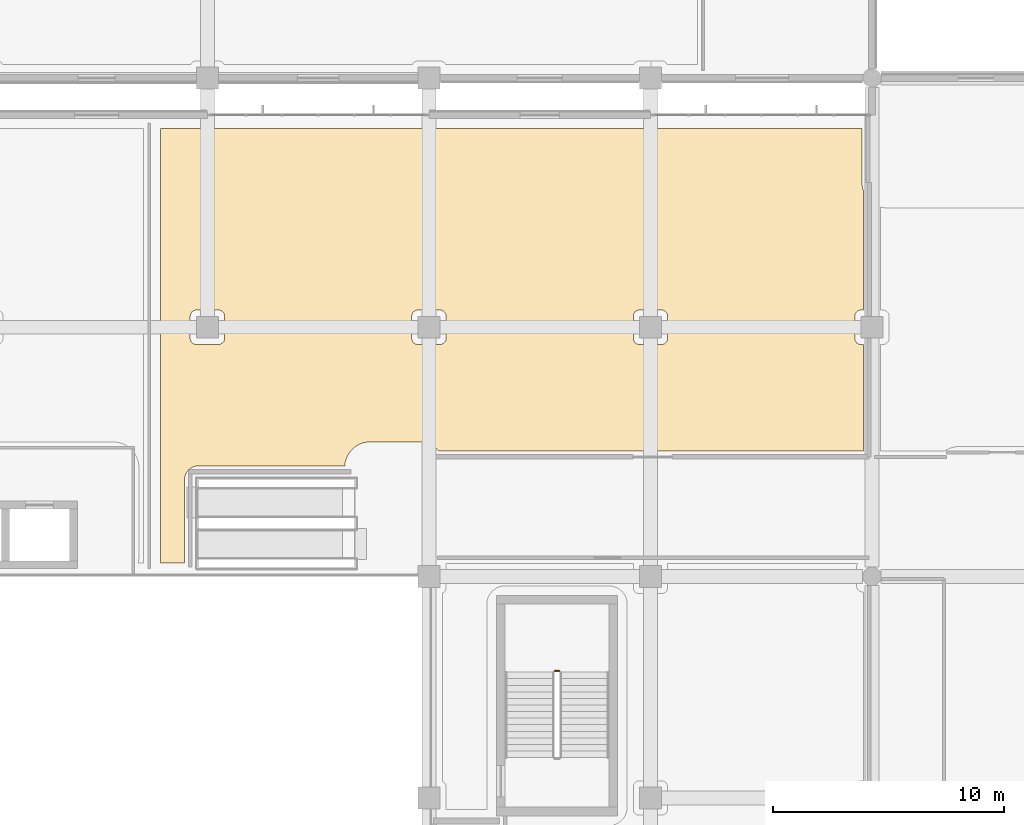
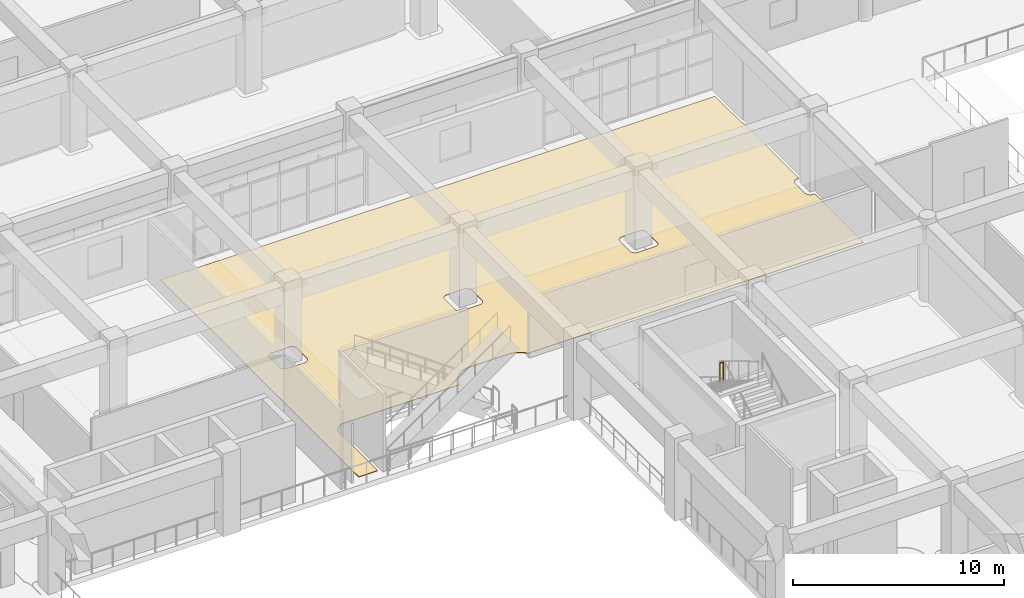
# One storey, part 71 of 86: 1 covering, 1 railing.
"""IFC4 building model written with IfcOpenShell, lengths in metres."""

from ifc_helpers import new_model, si_unit, direction, frame, origin, origin_2d, place, context, subcontext, project, spatial, polyline, circle, outline, extrude, material, layer, layer_set, type_object, element, save


model = new_model("IFC4")

# Units and contexts
model_context = context("Model", 3, precision=1e-05, world=origin(), true_north=direction((0.0, 1.0)))
body_context = subcontext(model_context, "Body", "Model", "MODEL_VIEW")
ifc_project = project(units=[si_unit("LENGTHUNIT", "METRE"), si_unit("AREAUNIT", "SQUARE_METRE"), si_unit("VOLUMEUNIT", "CUBIC_METRE"), si_unit("PLANEANGLEUNIT", "RADIAN"), si_unit("MASSUNIT", "GRAM", prefix="KILO")], contexts=[model_context])

# Site, building, storey
site_placement = place(None, origin())
site = spatial("IfcSite", under=ifc_project, at=site_placement, CompositionType="ELEMENT")
building_placement = place(site_placement, origin())
building = spatial("IfcBuilding", under=site, at=building_placement, Name="Cendralis Terraced Arcade", CompositionType="ELEMENT")
storey_placement = place(building_placement, frame((0.0, 0.0, 5.39990234375)))
storey = spatial("IfcBuildingStorey", under=building, at=storey_placement, Name="L01", CompositionType="ELEMENT", Elevation=5.39990234375)

# Covering
ifc_material_1 = material(Name="Polished Bogota limestone terrazzo flooring", Category="masonry")
ifc_layer = layer(ifc_material_1, 0.030029296875, Name="COV-FLR-TERZ-30")
ifc_layer_set = layer_set([ifc_layer], Name="Polished Bogota limestone terrazzo flooring")
covering_type = type_object("IfcCoveringType", Name="COV-FLR-TERZ-30", PredefinedType="FLOORING", material=ifc_layer_set)
covering_placement = place(storey_placement, origin())
element("IfcCovering", 1, at=covering_placement, inside=storey, type_object=covering_type, Name="Interior Finish Flooring L01-052", PredefinedType="FLOORING", context=body_context, shape_type="SweptSolid", body=[
    extrude(outline(polyline([(36.3701171875, 57.81005859375), (66.77001953125, 57.81005859375), (66.77001953125, 55.47998046875), (66.77001953125, 55.476806640625), (66.77001953125, 55.47412109375), (66.77001953125, 55.470947265625), (66.770263671875, 55.465087890625), (66.7705078125, 55.4619140625), (66.7705078125, 55.458984375), (66.7705078125, 55.4560546875), (66.773681640625, 55.395263671875), (66.77392578125, 55.38916015625), (66.7744140625, 55.38330078125), (66.77490234375, 55.377197265625), (66.776123046875, 55.365478515625), (66.776611328125, 55.359375), (66.777587890625, 55.353515625), (66.7783203125, 55.347412109375), (66.787109375, 55.287109375), (66.7880859375, 55.281005859375), (66.789306640625, 55.275390625), (66.790283203125, 55.269287109375), (66.79248046875, 55.2578125), (66.7939453125, 55.251708984375), (66.795166015625, 55.24609375), (66.796630859375, 55.239990234375), (66.811279296875, 55.180908203125), (66.81298828125, 55.175048828125), (66.814453125, 55.16943359375), (66.816162109375, 55.16357421875), (66.819580078125, 55.152099609375), (66.821533203125, 55.146240234375), (66.8232421875, 55.140625), (66.8251953125, 55.135009765625), (66.830078125, 55.121826171875), (66.830078125, 49.945068359375), (66.72509765625, 49.945068359375), (66.712646484375, 49.944580078125), (66.710693359375, 49.944580078125), (66.686279296875, 49.942138671875), (66.684326171875, 49.94189453125), (66.660400390625, 49.93701171875), (66.658447265625, 49.9365234375), (66.635009765625, 49.929443359375), (66.633056640625, 49.928955078125), (66.610595703125, 49.91943359375), (66.608642578125, 49.918701171875), (66.5869140625, 49.906982421875), (66.58544921875, 49.906005859375), (66.56494140625, 49.892333984375), (66.5634765625, 49.891357421875), (66.54443359375, 49.875732421875), (66.54296875, 49.87451171875), (66.525634765625, 49.85693359375), (66.5244140625, 49.855712890625), (66.5087890625, 49.836669921875), (66.507568359375, 49.8349609375), (66.493896484375, 49.814697265625), (66.492919921875, 49.81298828125), (66.4814453125, 49.791259765625), (66.48046875, 49.78955078125), (66.47119140625, 49.766845703125), (66.470458984375, 49.764892578125), (66.46337890625, 49.74169921875), (66.462890625, 49.739501953125), (66.4580078125, 49.715576171875), (66.457763671875, 49.713623046875), (66.455322265625, 49.689208984375), (66.455322265625, 49.687255859375), (66.455078125, 49.675048828125), (66.455078125, 48.72509765625), (66.455322265625, 48.712646484375), (66.455322265625, 48.710693359375), (66.457763671875, 48.686279296875), (66.4580078125, 48.684326171875), (66.462890625, 48.660400390625), (66.46337890625, 48.658447265625), (66.470458984375, 48.635009765625), (66.47119140625, 48.633056640625), (66.48046875, 48.610595703125), (66.4814453125, 48.608642578125), (66.492919921875, 48.5869140625), (66.493896484375, 48.58544921875), (66.507568359375, 48.56494140625), (66.5087890625, 48.5634765625), (66.5244140625, 48.54443359375), (66.525634765625, 48.54296875), (66.54296875, 48.525634765625), (66.54443359375, 48.5244140625), (66.5634765625, 48.5087890625), (66.56494140625, 48.507568359375), (66.58544921875, 48.493896484375), (66.5869140625, 48.492919921875), (66.608642578125, 48.4814453125), (66.610595703125, 48.48046875), (66.633056640625, 48.47119140625), (66.635009765625, 48.470458984375), (66.658447265625, 48.46337890625), (66.660400390625, 48.462890625), (66.684326171875, 48.4580078125), (66.686279296875, 48.457763671875), (66.710693359375, 48.455322265625), (66.712646484375, 48.455322265625), (66.72509765625, 48.455078125), (66.830078125, 48.455078125), (66.830078125, 43.830078125), (48.433837890625, 43.830078125), (48.430908203125, 43.833251953125), (48.42724609375, 43.837890625), (48.423095703125, 43.84228515625), (48.382080078125, 43.887451171875), (48.378173828125, 43.89208984375), (48.3740234375, 43.896240234375), (48.36962890625, 43.900634765625), (48.361328125, 43.908935546875), (48.35693359375, 43.9130859375), (48.352783203125, 43.917236328125), (48.34814453125, 43.92138671875), (48.302978515625, 43.96240234375), (48.298583984375, 43.96630859375), (48.294189453125, 43.97021484375), (48.289306640625, 43.97412109375), (48.2802734375, 43.981689453125), (48.275390625, 43.985595703125), (48.27099609375, 43.989013671875), (48.26611328125, 43.992919921875), (48.217041015625, 44.029052734375), (48.212158203125, 44.03271484375), (48.207275390625, 44.0361328125), (48.202392578125, 44.03955078125), (48.1923828125, 44.046142578125), (48.187255859375, 44.04931640625), (48.182373046875, 44.052490234375), (48.177001953125, 44.055908203125), (48.125, 44.087158203125), (48.11962890625, 44.090087890625), (48.114501953125, 44.093017578125), (48.109130859375, 44.095947265625), (48.098876953125, 44.1015625), (48.09326171875, 44.1044921875), (48.087890625, 44.107177734375), (48.08251953125, 44.109619140625), (48.027587890625, 44.1357421875), (48.02197265625, 44.13818359375), (48.0166015625, 44.140625), (48.010986328125, 44.14306640625), (48.0, 44.147705078125), (47.994384765625, 44.14990234375), (47.989013671875, 44.152099609375), (47.983154296875, 44.154296875), (47.92578125, 44.1748046875), (47.919921875, 44.1767578125), (47.914306640625, 44.178466796875), (47.90869140625, 44.180419921875), (47.897216796875, 44.183837890625), (47.891357421875, 44.185546875), (47.8857421875, 44.18701171875), (47.8798828125, 44.188720703125), (47.82080078125, 44.203369140625), (47.814697265625, 44.204833984375), (47.80908203125, 44.2060546875), (47.802978515625, 44.20751953125), (47.79150390625, 44.209716796875), (47.785400390625, 44.210693359375), (47.77978515625, 44.2119140625), (47.773681640625, 44.212890625), (47.71337890625, 44.2216796875), (47.70751953125, 44.222412109375), (47.701416015625, 44.223388671875), (47.6953125, 44.223876953125), (47.68359375, 44.22509765625), (47.677490234375, 44.2255859375), (47.671630859375, 44.22607421875), (47.66552734375, 44.226318359375), (47.604736328125, 44.2294921875), (47.601806640625, 44.2294921875), (47.598876953125, 44.2294921875), (47.595703125, 44.229736328125), (47.58984375, 44.22998046875), (47.5869140625, 44.22998046875), (47.583740234375, 44.22998046875), (47.580810546875, 44.22998046875), (45.458984375, 44.22998046875), (45.455810546875, 44.22998046875), (45.452880859375, 44.22998046875), (45.449951171875, 44.22998046875), (45.444091796875, 44.229736328125), (45.44091796875, 44.2294921875), (45.43798828125, 44.2294921875), (45.434814453125, 44.2294921875), (45.3740234375, 44.226318359375), (45.367919921875, 44.22607421875), (45.362060546875, 44.2255859375), (45.35595703125, 44.22509765625), (45.34423828125, 44.223876953125), (45.338134765625, 44.223388671875), (45.33251953125, 44.222412109375), (45.326416015625, 44.2216796875), (45.26611328125, 44.212890625), (45.260009765625, 44.2119140625), (45.254150390625, 44.210693359375), (45.248291015625, 44.209716796875), (45.236572265625, 44.20751953125), (45.230712890625, 44.2060546875), (45.224853515625, 44.204833984375), (45.218994140625, 44.203369140625), (45.159912109375, 44.188720703125), (45.154052734375, 44.18701171875), (45.148193359375, 44.185546875), (45.142333984375, 44.183837890625), (45.131103515625, 44.180419921875), (45.125244140625, 44.178466796875), (45.11962890625, 44.1767578125), (45.114013671875, 44.1748046875), (45.056640625, 44.154296875), (45.05078125, 44.152099609375), (45.04541015625, 44.14990234375), (45.039794921875, 44.147705078125), (45.02880859375, 44.14306640625), (45.023193359375, 44.140625), (45.017822265625, 44.13818359375), (45.01220703125, 44.1357421875), (44.957275390625, 44.109619140625), (44.95166015625, 44.107177734375), (44.9462890625, 44.1044921875), (44.94091796875, 44.1015625), (44.9306640625, 44.095947265625), (44.92529296875, 44.093017578125), (44.920166015625, 44.090087890625), (44.914794921875, 44.087158203125), (44.862548828125, 44.055908203125), (44.857421875, 44.052490234375), (44.852294921875, 44.04931640625), (44.84716796875, 44.046142578125), (44.83740234375, 44.03955078125), (44.83251953125, 44.0361328125), (44.82763671875, 44.03271484375), (44.822509765625, 44.029052734375), (44.773681640625, 43.992919921875), (44.768798828125, 43.989013671875), (44.76416015625, 43.985595703125), (44.759521484375, 43.981689453125), (44.750244140625, 43.97412109375), (44.74560546875, 43.97021484375), (44.7412109375, 43.96630859375), (44.736572265625, 43.96240234375), (44.69140625, 43.92138671875), (44.68701171875, 43.917236328125), (44.6826171875, 43.9130859375), (44.67822265625, 43.908935546875), (44.669921875, 43.900634765625), (44.665771484375, 43.896240234375), (44.66162109375, 43.89208984375), (44.657470703125, 43.887451171875), (44.61669921875, 43.84228515625), (44.612548828125, 43.837890625), (44.608642578125, 43.833251953125), (44.604736328125, 43.82861328125), (44.597412109375, 43.819580078125), (44.593505859375, 43.814697265625), (44.58984375, 43.81005859375), (44.586181640625, 43.80517578125), (44.5498046875, 43.75634765625), (44.54638671875, 43.75146484375), (44.54296875, 43.74658203125), (44.539306640625, 43.741455078125), (44.532958984375, 43.731689453125), (44.529541015625, 43.7265625), (44.5263671875, 43.7216796875), (44.523193359375, 43.71630859375), (44.491943359375, 43.664306640625), (44.48876953125, 43.658935546875), (44.48583984375, 43.65380859375), (44.48291015625, 43.6484375), (44.477294921875, 43.637939453125), (44.474609375, 43.632568359375), (44.471923828125, 43.627197265625), (44.46923828125, 43.621826171875), (44.443115234375, 43.56689453125), (44.440673828125, 43.561279296875), (44.438232421875, 43.555908203125), (44.435791015625, 43.55029296875), (44.431396484375, 43.539306640625), (44.428955078125, 43.53369140625), (44.427001953125, 43.528076171875), (44.4248046875, 43.522216796875), (44.404296875, 43.465087890625), (44.40234375, 43.459228515625), (44.400390625, 43.45361328125), (44.398681640625, 43.44775390625), (44.395263671875, 43.4365234375), (44.3935546875, 43.4306640625), (44.391845703125, 43.425048828125), (44.390380859375, 43.4189453125), (44.37548828125, 43.360107421875), (44.3740234375, 43.35400390625), (44.372802734375, 43.348388671875), (44.37158203125, 43.34228515625), (44.369384765625, 43.330810546875), (44.3681640625, 43.32470703125), (44.3671875, 43.31884765625), (44.3662109375, 43.31298828125), (44.357177734375, 43.252685546875), (44.3564453125, 43.24658203125), (44.355712890625, 43.24072265625), (44.35498046875, 43.234619140625), (44.35400390625, 43.222900390625), (44.353271484375, 43.216796875), (44.352783203125, 43.2109375), (44.3525390625, 43.204833984375), (44.351806640625, 43.190673828125), (38.0, 43.18994140625), (37.993896484375, 43.18994140625), (37.988037109375, 43.189697265625), (37.981689453125, 43.189697265625), (37.960205078125, 43.1884765625), (37.947998046875, 43.1875), (37.936279296875, 43.186279296875), (37.924072265625, 43.184814453125), (37.90283203125, 43.181884765625), (37.890625, 43.1796875), (37.879150390625, 43.177490234375), (37.8671875, 43.1748046875), (37.84619140625, 43.16943359375), (37.83447265625, 43.166259765625), (37.822998046875, 43.16259765625), (37.8115234375, 43.158935546875), (37.791259765625, 43.151611328125), (37.77978515625, 43.147216796875), (37.768798828125, 43.142578125), (37.757568359375, 43.1376953125), (37.738037109375, 43.12841796875), (37.72705078125, 43.123046875), (37.716796875, 43.117431640625), (37.7060546875, 43.111328125), (37.6875, 43.100341796875), (37.67724609375, 43.09375), (37.66748046875, 43.087158203125), (37.657470703125, 43.080078125), (37.639892578125, 43.067138671875), (37.63037109375, 43.059814453125), (37.62109375, 43.05224609375), (37.612060546875, 43.044189453125), (37.595947265625, 43.02978515625), (37.587158203125, 43.021240234375), (37.57861328125, 43.012939453125), (37.5703125, 43.00390625), (37.555908203125, 42.988037109375), (37.5478515625, 42.978759765625), (37.540283203125, 42.969482421875), (37.53271484375, 42.9599609375), (37.52001953125, 42.942626953125), (37.5126953125, 42.9326171875), (37.50634765625, 42.9228515625), (37.499755859375, 42.912353515625), (37.488525390625, 42.893798828125), (37.482666015625, 42.88330078125), (37.47705078125, 42.872802734375), (37.471435546875, 42.86181640625), (37.46240234375, 42.84228515625), (37.457275390625, 42.831298828125), (37.452880859375, 42.8203125), (37.448486328125, 42.808837890625), (37.441162109375, 42.78857421875), (37.437255859375, 42.77685546875), (37.433837890625, 42.765625), (37.4306640625, 42.75390625), (37.42529296875, 42.73291015625), (37.422607421875, 42.720947265625), (37.42041015625, 42.709228515625), (37.418212890625, 42.697265625), (37.4150390625, 42.67578125), (37.41357421875, 42.663818359375), (37.412353515625, 42.652099609375), (37.41162109375, 42.6396484375), (37.410400390625, 42.6181640625), (37.41015625, 42.612060546875), (37.41015625, 42.606201171875), (37.409912109375, 42.60009765625), (37.409912109375, 38.989990234375), (36.3701171875, 38.989990234375), (36.3701171875, 57.81005859375)]), holes=[polyline([(57.0087890625, 48.4814453125), (57.010498046875, 48.48046875), (57.033203125, 48.47119140625), (57.034912109375, 48.470458984375), (57.058349609375, 48.46337890625), (57.060302734375, 48.462890625), (57.08447265625, 48.4580078125), (57.08642578125, 48.457763671875), (57.11083984375, 48.455322265625), (57.11279296875, 48.455322265625), (57.125, 48.455078125), (58.074951171875, 48.455078125), (58.08740234375, 48.455322265625), (58.089111328125, 48.455322265625), (58.113525390625, 48.457763671875), (58.115478515625, 48.4580078125), (58.1396484375, 48.462890625), (58.1416015625, 48.46337890625), (58.1650390625, 48.470458984375), (58.1669921875, 48.47119140625), (58.189453125, 48.48046875), (58.19140625, 48.4814453125), (58.212890625, 48.492919921875), (58.214599609375, 48.493896484375), (58.235107421875, 48.507568359375), (58.236572265625, 48.5087890625), (58.255615234375, 48.5244140625), (58.257080078125, 48.525634765625), (58.2744140625, 48.54296875), (58.275634765625, 48.54443359375), (58.291259765625, 48.5634765625), (58.29248046875, 48.56494140625), (58.30615234375, 48.58544921875), (58.30712890625, 48.5869140625), (58.318603515625, 48.608642578125), (58.319580078125, 48.610595703125), (58.328857421875, 48.633056640625), (58.32958984375, 48.635009765625), (58.336669921875, 48.658447265625), (58.337158203125, 48.660400390625), (58.341796875, 48.684326171875), (58.34228515625, 48.686279296875), (58.344482421875, 48.710693359375), (58.3447265625, 48.712646484375), (58.344970703125, 48.72509765625), (58.344970703125, 49.675048828125), (58.3447265625, 49.687255859375), (58.344482421875, 49.689208984375), (58.34228515625, 49.713623046875), (58.341796875, 49.715576171875), (58.337158203125, 49.739501953125), (58.336669921875, 49.74169921875), (58.32958984375, 49.764892578125), (58.328857421875, 49.766845703125), (58.319580078125, 49.78955078125), (58.318603515625, 49.791259765625), (58.30712890625, 49.81298828125), (58.30615234375, 49.814697265625), (58.29248046875, 49.8349609375), (58.291259765625, 49.836669921875), (58.275634765625, 49.855712890625), (58.2744140625, 49.85693359375), (58.257080078125, 49.87451171875), (58.255615234375, 49.875732421875), (58.236572265625, 49.891357421875), (58.235107421875, 49.892333984375), (58.214599609375, 49.906005859375), (58.212890625, 49.906982421875), (58.19140625, 49.918701171875), (58.189453125, 49.91943359375), (58.1669921875, 49.928955078125), (58.1650390625, 49.929443359375), (58.1416015625, 49.9365234375), (58.1396484375, 49.93701171875), (58.115478515625, 49.94189453125), (58.113525390625, 49.942138671875), (58.089111328125, 49.944580078125), (58.08740234375, 49.944580078125), (58.074951171875, 49.945068359375), (57.125, 49.945068359375), (57.11279296875, 49.944580078125), (57.11083984375, 49.944580078125), (57.08642578125, 49.942138671875), (57.08447265625, 49.94189453125), (57.060302734375, 49.93701171875), (57.058349609375, 49.9365234375), (57.034912109375, 49.929443359375), (57.033203125, 49.928955078125), (57.010498046875, 49.91943359375), (57.0087890625, 49.918701171875), (56.987060546875, 49.906982421875), (56.9853515625, 49.906005859375), (56.965087890625, 49.892333984375), (56.96337890625, 49.891357421875), (56.9443359375, 49.875732421875), (56.943115234375, 49.87451171875), (56.925537109375, 49.85693359375), (56.92431640625, 49.855712890625), (56.90869140625, 49.836669921875), (56.90771484375, 49.8349609375), (56.893798828125, 49.814697265625), (56.892822265625, 49.81298828125), (56.88134765625, 49.791259765625), (56.880615234375, 49.78955078125), (56.87109375, 49.766845703125), (56.87060546875, 49.764892578125), (56.86328125, 49.74169921875), (56.86279296875, 49.739501953125), (56.858154296875, 49.715576171875), (56.85791015625, 49.713623046875), (56.85546875, 49.689208984375), (56.855224609375, 49.687255859375), (56.85498046875, 49.675048828125), (56.85498046875, 48.72509765625), (56.855224609375, 48.712646484375), (56.85546875, 48.710693359375), (56.85791015625, 48.686279296875), (56.858154296875, 48.684326171875), (56.86279296875, 48.660400390625), (56.86328125, 48.658447265625), (56.87060546875, 48.635009765625), (56.87109375, 48.633056640625), (56.880615234375, 48.610595703125), (56.88134765625, 48.608642578125), (56.892822265625, 48.5869140625), (56.893798828125, 48.58544921875), (56.90771484375, 48.56494140625), (56.90869140625, 48.5634765625), (56.92431640625, 48.54443359375), (56.925537109375, 48.54296875), (56.943115234375, 48.525634765625), (56.9443359375, 48.5244140625), (56.96337890625, 48.5087890625), (56.965087890625, 48.507568359375), (56.9853515625, 48.493896484375), (56.987060546875, 48.492919921875), (57.0087890625, 48.4814453125)]), polyline([(47.40869140625, 48.4814453125), (47.410400390625, 48.48046875), (47.43310546875, 48.47119140625), (47.43505859375, 48.470458984375), (47.45849609375, 48.46337890625), (47.46044921875, 48.462890625), (47.484375, 48.4580078125), (47.486328125, 48.457763671875), (47.5107421875, 48.455322265625), (47.5126953125, 48.455322265625), (47.52490234375, 48.455078125), (48.47509765625, 48.455078125), (48.4873046875, 48.455322265625), (48.4892578125, 48.455322265625), (48.513671875, 48.457763671875), (48.515625, 48.4580078125), (48.53955078125, 48.462890625), (48.54150390625, 48.46337890625), (48.56494140625, 48.470458984375), (48.56689453125, 48.47119140625), (48.589599609375, 48.48046875), (48.59130859375, 48.4814453125), (48.613037109375, 48.492919921875), (48.614501953125, 48.493896484375), (48.635009765625, 48.507568359375), (48.63671875, 48.5087890625), (48.655517578125, 48.5244140625), (48.656982421875, 48.525634765625), (48.67431640625, 48.54296875), (48.67578125, 48.54443359375), (48.69140625, 48.5634765625), (48.6923828125, 48.56494140625), (48.7060546875, 48.58544921875), (48.70703125, 48.5869140625), (48.718505859375, 48.608642578125), (48.719482421875, 48.610595703125), (48.72900390625, 48.633056640625), (48.7294921875, 48.635009765625), (48.736572265625, 48.658447265625), (48.737060546875, 48.660400390625), (48.741943359375, 48.684326171875), (48.7421875, 48.686279296875), (48.74462890625, 48.710693359375), (48.74462890625, 48.712646484375), (48.7451171875, 48.72509765625), (48.7451171875, 49.675048828125), (48.74462890625, 49.687255859375), (48.74462890625, 49.689208984375), (48.7421875, 49.713623046875), (48.741943359375, 49.715576171875), (48.737060546875, 49.739501953125), (48.736572265625, 49.74169921875), (48.7294921875, 49.764892578125), (48.72900390625, 49.766845703125), (48.719482421875, 49.78955078125), (48.718505859375, 49.791259765625), (48.70703125, 49.81298828125), (48.7060546875, 49.814697265625), (48.6923828125, 49.8349609375), (48.69140625, 49.836669921875), (48.67578125, 49.855712890625), (48.67431640625, 49.85693359375), (48.656982421875, 49.87451171875), (48.655517578125, 49.875732421875), (48.63671875, 49.891357421875), (48.635009765625, 49.892333984375), (48.614501953125, 49.906005859375), (48.613037109375, 49.906982421875), (48.59130859375, 49.918701171875), (48.589599609375, 49.91943359375), (48.56689453125, 49.928955078125), (48.56494140625, 49.929443359375), (48.54150390625, 49.9365234375), (48.53955078125, 49.93701171875), (48.515625, 49.94189453125), (48.513671875, 49.942138671875), (48.4892578125, 49.944580078125), (48.4873046875, 49.944580078125), (48.47509765625, 49.945068359375), (47.52490234375, 49.945068359375), (47.5126953125, 49.944580078125), (47.5107421875, 49.944580078125), (47.486328125, 49.942138671875), (47.484375, 49.94189453125), (47.46044921875, 49.93701171875), (47.45849609375, 49.9365234375), (47.43505859375, 49.929443359375), (47.43310546875, 49.928955078125), (47.410400390625, 49.91943359375), (47.40869140625, 49.918701171875), (47.386962890625, 49.906982421875), (47.385498046875, 49.906005859375), (47.364990234375, 49.892333984375), (47.36328125, 49.891357421875), (47.344482421875, 49.875732421875), (47.343017578125, 49.87451171875), (47.32568359375, 49.85693359375), (47.32421875, 49.855712890625), (47.30859375, 49.836669921875), (47.3076171875, 49.8349609375), (47.2939453125, 49.814697265625), (47.29296875, 49.81298828125), (47.281494140625, 49.791259765625), (47.280517578125, 49.78955078125), (47.27099609375, 49.766845703125), (47.2705078125, 49.764892578125), (47.263427734375, 49.74169921875), (47.262939453125, 49.739501953125), (47.258056640625, 49.715576171875), (47.2578125, 49.713623046875), (47.25537109375, 49.689208984375), (47.25537109375, 49.687255859375), (47.2548828125, 49.675048828125), (47.2548828125, 48.72509765625), (47.25537109375, 48.712646484375), (47.25537109375, 48.710693359375), (47.2578125, 48.686279296875), (47.258056640625, 48.684326171875), (47.262939453125, 48.660400390625), (47.263427734375, 48.658447265625), (47.2705078125, 48.635009765625), (47.27099609375, 48.633056640625), (47.280517578125, 48.610595703125), (47.281494140625, 48.608642578125), (47.29296875, 48.5869140625), (47.2939453125, 48.58544921875), (47.3076171875, 48.56494140625), (47.30859375, 48.5634765625), (47.32421875, 48.54443359375), (47.32568359375, 48.54296875), (47.343017578125, 48.525634765625), (47.344482421875, 48.5244140625), (47.36328125, 48.5087890625), (47.364990234375, 48.507568359375), (47.385498046875, 48.493896484375), (47.386962890625, 48.492919921875), (47.40869140625, 48.4814453125)]), polyline([(37.80859375, 48.4814453125), (37.810546875, 48.48046875), (37.8330078125, 48.47119140625), (37.8349609375, 48.470458984375), (37.8583984375, 48.46337890625), (37.8603515625, 48.462890625), (37.884521484375, 48.4580078125), (37.886474609375, 48.457763671875), (37.910888671875, 48.455322265625), (37.91259765625, 48.455322265625), (37.925048828125, 48.455078125), (38.875, 48.455078125), (38.88720703125, 48.455322265625), (38.88916015625, 48.455322265625), (38.91357421875, 48.457763671875), (38.91552734375, 48.4580078125), (38.939697265625, 48.462890625), (38.941650390625, 48.46337890625), (38.965087890625, 48.470458984375), (38.966796875, 48.47119140625), (38.989501953125, 48.48046875), (38.9912109375, 48.4814453125), (39.012939453125, 48.492919921875), (39.0146484375, 48.493896484375), (39.034912109375, 48.507568359375), (39.03662109375, 48.5087890625), (39.0556640625, 48.5244140625), (39.056884765625, 48.525634765625), (39.074462890625, 48.54296875), (39.07568359375, 48.54443359375), (39.09130859375, 48.5634765625), (39.09228515625, 48.56494140625), (39.106201171875, 48.58544921875), (39.107177734375, 48.5869140625), (39.11865234375, 48.608642578125), (39.119384765625, 48.610595703125), (39.12890625, 48.633056640625), (39.12939453125, 48.635009765625), (39.13671875, 48.658447265625), (39.13720703125, 48.660400390625), (39.141845703125, 48.684326171875), (39.14208984375, 48.686279296875), (39.14453125, 48.710693359375), (39.144775390625, 48.712646484375), (39.14501953125, 48.72509765625), (39.14501953125, 49.675048828125), (39.144775390625, 49.687255859375), (39.14453125, 49.689208984375), (39.14208984375, 49.713623046875), (39.141845703125, 49.715576171875), (39.13720703125, 49.739501953125), (39.13671875, 49.74169921875), (39.12939453125, 49.764892578125), (39.12890625, 49.766845703125), (39.119384765625, 49.78955078125), (39.11865234375, 49.791259765625), (39.107177734375, 49.81298828125), (39.106201171875, 49.814697265625), (39.09228515625, 49.8349609375), (39.09130859375, 49.836669921875), (39.07568359375, 49.855712890625), (39.074462890625, 49.85693359375), (39.056884765625, 49.87451171875), (39.0556640625, 49.875732421875), (39.03662109375, 49.891357421875), (39.034912109375, 49.892333984375), (39.0146484375, 49.906005859375), (39.012939453125, 49.906982421875), (38.9912109375, 49.918701171875), (38.989501953125, 49.91943359375), (38.966796875, 49.928955078125), (38.965087890625, 49.929443359375), (38.941650390625, 49.9365234375), (38.939697265625, 49.93701171875), (38.91552734375, 49.94189453125), (38.91357421875, 49.942138671875), (38.88916015625, 49.944580078125), (38.88720703125, 49.944580078125), (38.875, 49.945068359375), (37.925048828125, 49.945068359375), (37.91259765625, 49.944580078125), (37.910888671875, 49.944580078125), (37.886474609375, 49.942138671875), (37.884521484375, 49.94189453125), (37.8603515625, 49.93701171875), (37.8583984375, 49.9365234375), (37.8349609375, 49.929443359375), (37.8330078125, 49.928955078125), (37.810546875, 49.91943359375), (37.80859375, 49.918701171875), (37.787109375, 49.906982421875), (37.785400390625, 49.906005859375), (37.764892578125, 49.892333984375), (37.763427734375, 49.891357421875), (37.744384765625, 49.875732421875), (37.742919921875, 49.87451171875), (37.7255859375, 49.85693359375), (37.724365234375, 49.855712890625), (37.708740234375, 49.836669921875), (37.70751953125, 49.8349609375), (37.69384765625, 49.814697265625), (37.69287109375, 49.81298828125), (37.681396484375, 49.791259765625), (37.680419921875, 49.78955078125), (37.671142578125, 49.766845703125), (37.67041015625, 49.764892578125), (37.663330078125, 49.74169921875), (37.662841796875, 49.739501953125), (37.658203125, 49.715576171875), (37.65771484375, 49.713623046875), (37.655517578125, 49.689208984375), (37.6552734375, 49.687255859375), (37.655029296875, 49.675048828125), (37.655029296875, 48.72509765625), (37.6552734375, 48.712646484375), (37.655517578125, 48.710693359375), (37.65771484375, 48.686279296875), (37.658203125, 48.684326171875), (37.662841796875, 48.660400390625), (37.663330078125, 48.658447265625), (37.67041015625, 48.635009765625), (37.671142578125, 48.633056640625), (37.680419921875, 48.610595703125), (37.681396484375, 48.608642578125), (37.69287109375, 48.5869140625), (37.69384765625, 48.58544921875), (37.70751953125, 48.56494140625), (37.708740234375, 48.5634765625), (37.724365234375, 48.54443359375), (37.7255859375, 48.54296875), (37.742919921875, 48.525634765625), (37.744384765625, 48.5244140625), (37.763427734375, 48.5087890625), (37.764892578125, 48.507568359375), (37.785400390625, 48.493896484375), (37.787109375, 48.492919921875), (37.80859375, 48.4814453125)])]), origin(), (0.0, 0.0, 1.0), 0.030029296875),
])

# Railing
ifc_material_2 = material(Name="Brushed stainless steel AISI 316", Category="steel")
railing_type = type_object("IfcRailingType", Name="RL-STAIR-GUARD-1100", PredefinedType="GUARDRAIL", material=ifc_material_2)
railing_placement = place(storey_placement, frame((53.64990234375, 34.304931640625, 2.400146484375)))
element("IfcRailing", 2, at=railing_placement, inside=storey, type_object=railing_type, Name="L01 ST-04 stair guard 2", PredefinedType="GUARDRAIL", context=body_context, shape_type="SweptSolid", body=[
    extrude(circle(Radius=0.02392578125, at=origin_2d()), frame((0.0, 0.0, 1.076171875), z_axis=(-1.0, 0.0, 0.0), x_axis=(0.0, -1.0, 0.0)), (0.0, 0.0, 1.0), 0.199951171875),
    extrude(circle(Radius=0.02099609375, at=origin_2d()), origin(), (0.0, 0.0, 1.0), 1.052001953125),
    extrude(circle(Radius=0.02099609375, at=origin_2d()), frame((-0.199951171875, 0.0, 0.0)), (0.0, 0.0, 1.0), 1.052001953125),
])

save(model, "model.ifc")
